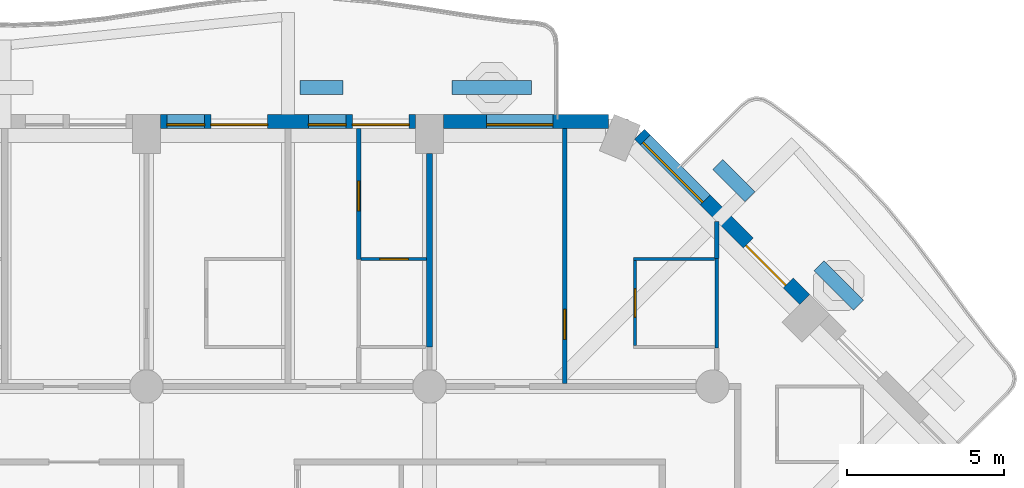
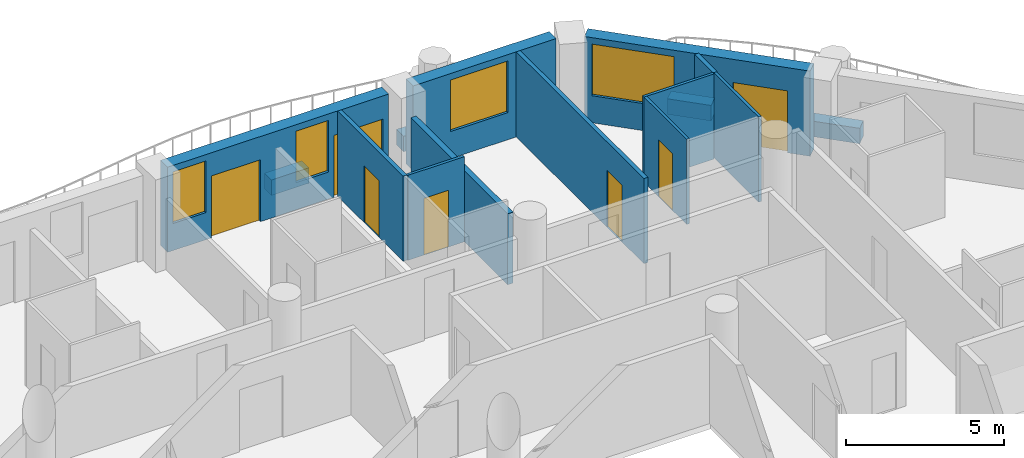
# One storey, part 10 of 20: 15 walls, 7 doors, 4 windows, 11 openings.
"""IFC4 building model written with IfcOpenShell, lengths in metres."""

from ifc_helpers import new_model, si_unit, direction, frame, frame_2d, origin, place, context, subcontext, project, spatial, rectangle, extrude, material, layer, layer_set, type_object, element, fill, save


model = new_model("IFC4")

# Units and contexts
model_context = context("Model", 3, precision=1e-05, world=origin(), true_north=direction((0.0, 1.0)))
body_context = subcontext(model_context, "Body", "Model", "MODEL_VIEW")
ifc_project = project(units=[si_unit("LENGTHUNIT", "METRE"), si_unit("AREAUNIT", "SQUARE_METRE"), si_unit("VOLUMEUNIT", "CUBIC_METRE"), si_unit("PLANEANGLEUNIT", "RADIAN"), si_unit("MASSUNIT", "GRAM", prefix="KILO")], contexts=[model_context])

# Site, building, storey
site_placement = place(None, origin())
site = spatial("IfcSite", under=ifc_project, at=site_placement, CompositionType="ELEMENT")
building_placement = place(site_placement, origin())
building = spatial("IfcBuilding", under=site, at=building_placement, Name="Cypress Arch Tower", CompositionType="ELEMENT")
storey_placement = place(building_placement, frame((0.0, 0.0, 131.10009765625)))
storey = spatial("IfcBuildingStorey", under=building, at=storey_placement, Name="L28", CompositionType="ELEMENT", Elevation=131.10009765625)

# Walls
ifc_material_1 = material(Name="Concrete C40/50, waterproofed", Category="concrete")
ifc_layer_1 = layer(ifc_material_1, 0.449951171875)
ifc_layer_set_1 = layer_set([ifc_layer_1], Name="Balcony planter wall PW450")
wall_type_1 = type_object("IfcWallType", Name="Balcony planter wall PW450", PredefinedType="SOLIDWALL", material=ifc_layer_set_1)
wall_1_placement = place(storey_placement, frame((19.9365234375, 20.07763671875, 0.0), z_axis=(0.0, 0.0, 1.0), x_axis=(-0.707106781187, 0.707106781187, 0.0)))
element("IfcWall", 1, at=wall_1_placement, inside=storey, type_object=wall_type_1, Name="Balcony planter wall L28-A07.2", PredefinedType="SOLIDWALL", context=body_context, shape_type="SweptSolid", body=[
    extrude(rectangle(XDim=1.780517578125, YDim=0.449951171875, at=frame_2d((0.89013671875, 0.0))), origin(), (0.0, 0.0, 1.0), 0.599853515625),
])
wall_2_placement = place(storey_placement, frame((16.485595703125, 23.528564453125, 0.0), z_axis=(0.0, 0.0, 1.0), x_axis=(-0.707022305137, 0.707191247145, 0.0)))
element("IfcWall", 2, at=wall_2_placement, inside=storey, type_object=wall_type_1, Name="Balcony planter wall L28-A07.3", PredefinedType="SOLIDWALL", context=body_context, shape_type="SweptSolid", body=[
    extrude(rectangle(XDim=1.445068359375, YDim=0.449951171875, at=frame_2d((0.72265625, 0.0))), origin(), (0.0, 0.0, 1.0), 0.599853515625),
])
wall_3_placement = place(storey_placement, frame((9.550048828125, 27.0, 0.0), z_axis=(0.0, 0.0, 1.0), x_axis=(-1.0, 0.0, 0.0)))
element("IfcWall", 3, at=wall_3_placement, inside=storey, type_object=wall_type_1, Name="Balcony planter wall L28-A08.1", PredefinedType="SOLIDWALL", context=body_context, shape_type="SweptSolid", body=[
    extrude(rectangle(XDim=2.53759765625, YDim=0.449951171875, at=frame_2d((1.268798828125, 0.0))), origin(), (0.0, 0.0, 1.0), 0.599853515625),
])
wall_4_placement = place(storey_placement, frame((3.550048828125, 27.0, 0.0), z_axis=(0.0, 0.0, 1.0), x_axis=(-1.0, 0.0, 0.0)))
element("IfcWall", 4, at=wall_4_placement, inside=storey, type_object=wall_type_1, Name="Balcony planter wall L28-A08.2", PredefinedType="SOLIDWALL", context=body_context, shape_type="SweptSolid", body=[
    extrude(rectangle(XDim=1.375, YDim=0.449951171875, at=frame_2d((0.6875, 0.0))), origin(), (0.0, 0.0, 1.0), 0.599853515625),
])

# Wall, openings, door, window
ifc_material_2 = material(Name="Brick (red buff blend)", Category="masonry")
ifc_layer_2 = layer(ifc_material_2, 0.449951171875)
ifc_layer_set_2 = layer_set([ifc_layer_2], Name="Brick pier and spandrel wall BW450")
wall_type_2 = type_object("IfcWallType", Name="Brick pier and spandrel wall BW450", PredefinedType="SOLIDWALL", material=ifc_layer_set_2)
wall_5_placement = place(storey_placement, frame((18.228759765625, 20.26513671875, 0.0), z_axis=(0.0, 0.0, 1.0), x_axis=(-0.707106781187, 0.707106781187, 0.0)))
wall_5 = element("IfcWall", 5, at=wall_5_placement, inside=storey, type_object=wall_type_2, Name="Brick wall L28 A07.1", PredefinedType="SOLIDWALL", context=body_context, shape_type="SweptSolid", body=[
    extrude(rectangle(XDim=7.423828125, YDim=0.449951171875, at=frame_2d((3.7119140625, 0.0))), origin(), (0.0, 0.0, 1.0), 3.2998046875),
])
opening_1_placement = place(wall_5_placement, frame((0.740234375, 0.0, 0.0)))
opening_1 = element("IfcOpeningElement", 6, at=opening_1_placement, cuts=wall_5, Name="Opening D-L28-A07.1.1", PredefinedType="OPENING", context=body_context, shape_type="SweptSolid", body=[
    extrude(rectangle(XDim=1.800048828125, YDim=2.39990234375, at=frame_2d((0.89990234375, 1.199951171875))), frame((0.0, 0.23486328125, 0.0), z_axis=(0.0, -1.0, 0.0), x_axis=(1.0, 0.0, 0.0)), (0.0, 0.0, 1.0), 0.469970703125),
])
opening_2_placement = place(wall_5_placement, frame((4.470703125, 0.0, 1.050048828125)))
opening_2 = element("IfcOpeningElement", 7, at=opening_2_placement, cuts=wall_5, Name="Opening W270HD", PredefinedType="OPENING", context=body_context, shape_type="SweptSolid", body=[
    extrude(rectangle(XDim=2.699951171875, YDim=2.0, at=frame_2d((1.35009765625, 1.0))), frame((0.0, 0.23486328125, 0.0), z_axis=(0.0, -1.0, 0.0), x_axis=(1.0, 0.0, 0.0)), (0.0, 0.0, 1.0), 0.469970703125),
])
ifc_material_3 = material(Name="Anodised aluminium, bronze finish, laminated low-emissivity double glazing, large-missile impact rated", Category="aluminium")
door_type_1 = type_object("IfcDoorType", Name="Balcony sliding door 1800x2400", OperationType="SLIDING_TO_LEFT", PredefinedType="DOOR", material=ifc_material_3)
door_1_placement = place(opening_1_placement, origin())
door_1 = element("IfcDoor", 8, at=door_1_placement, inside=storey, type_object=door_type_1, Name="Balcony door L28 A07.1.1", OperationType="SLIDING_TO_LEFT", OverallHeight=2.39990234375, OverallWidth=1.800048828125, PredefinedType="DOOR", context=body_context, shape_type="SweptSolid", body=[
    extrude(rectangle(XDim=1.800048828125, YDim=2.39990234375, at=frame_2d((0.89990234375, 1.199951171875))), frame((0.0, 0.1298828125, 0.0), z_axis=(0.0, -1.0, 0.0), x_axis=(1.0, 0.0, 0.0)), (0.0, 0.0, 1.0), 0.050048828125),
])
fill(opening_1, door_1)
ifc_material_4 = material(Name="Anodised aluminium, bronze finish, laminated low-emissivity double glazing, large-missile impact rated", Category="aluminium")
window_type_1 = type_object("IfcWindowType", Name="Window Hotel 2700x2000 debris-rated", PartitioningType="SINGLE_PANEL", PredefinedType="WINDOW", material=ifc_material_4)
window_1_placement = place(opening_2_placement, origin())
window_1 = element("IfcWindow", 9, at=window_1_placement, inside=storey, type_object=window_type_1, Name="Window L28 A07.1.2", OverallHeight=2.0, OverallWidth=2.699951171875, PartitioningType="SINGLE_PANEL", PredefinedType="WINDOW", context=body_context, shape_type="SweptSolid", body=[
    extrude(rectangle(XDim=2.699951171875, YDim=2.0, at=frame_2d((1.35009765625, 1.0))), frame((0.0, 0.135009765625, 0.0), z_axis=(0.0, -1.0, 0.0), x_axis=(1.0, 0.0, 0.0)), (0.0, 0.0, 1.0), 0.06005859375),
])
fill(opening_2, window_1)

# Wall, opening, window
wall_6_placement = place(storey_placement, frame((11.98876953125, 25.925048828125, 0.0), z_axis=(0.0, 0.0, 1.0), x_axis=(-1.0, 0.0, 0.0)))
wall_6 = element("IfcWall", 10, at=wall_6_placement, inside=storey, type_object=wall_type_2, Name="Brick wall L28 A08.0", PredefinedType="SOLIDWALL", context=body_context, shape_type="SweptSolid", body=[
    extrude(rectangle(XDim=5.23876953125, YDim=0.449951171875, at=frame_2d((2.619384765625, 0.0))), origin(), (0.0, 0.0, 1.0), 3.2998046875),
])
opening_3_placement = place(wall_6_placement, frame((1.769775390625, 0.0, 1.050048828125)))
opening_3 = element("IfcOpeningElement", 11, at=opening_3_placement, cuts=wall_6, Name="Opening W210HD", PredefinedType="OPENING", context=body_context, shape_type="SweptSolid", body=[
    extrude(rectangle(XDim=2.10009765625, YDim=2.0, at=frame_2d((1.050048828125, 1.0))), frame((0.0, 0.23486328125, 0.0), z_axis=(0.0, -1.0, 0.0), x_axis=(1.0, 0.0, 0.0)), (0.0, 0.0, 1.0), 0.469970703125),
])
ifc_material_5 = material(Name="Anodised aluminium, bronze finish, laminated low-emissivity double glazing, large-missile impact rated", Category="aluminium")
window_type_2 = type_object("IfcWindowType", Name="Window Hotel 2100x2000 debris-rated", PartitioningType="SINGLE_PANEL", PredefinedType="WINDOW", material=ifc_material_5)
window_2_placement = place(opening_3_placement, origin())
window_2 = element("IfcWindow", 12, at=window_2_placement, inside=storey, type_object=window_type_2, Name="Window L28 A08.0.1", OverallHeight=2.0, OverallWidth=2.10009765625, PartitioningType="SINGLE_PANEL", PredefinedType="WINDOW", context=body_context, shape_type="SweptSolid", body=[
    extrude(rectangle(XDim=2.10009765625, YDim=2.0, at=frame_2d((1.050048828125, 1.0))), frame((0.0, 0.135009765625, 0.0), z_axis=(0.0, -1.0, 0.0), x_axis=(1.0, 0.0, 0.0)), (0.0, 0.0, 1.0), 0.06005859375),
])
fill(opening_3, window_2)

# Wall, openings, doors, windows
wall_7_placement = place(storey_placement, frame((5.85009765625, 25.925048828125, 0.0), z_axis=(0.0, 0.0, 1.0), x_axis=(-1.0, 0.0, 0.0)))
wall_7 = element("IfcWall", 13, at=wall_7_placement, inside=storey, type_object=wall_type_2, Name="Brick wall L28 A08.1", PredefinedType="SOLIDWALL", context=body_context, shape_type="SweptSolid", body=[
    extrude(rectangle(XDim=8.10009765625, YDim=0.449951171875, at=frame_2d((4.050048828125, 0.0))), origin(), (0.0, 0.0, 1.0), 3.2998046875),
])
opening_4_placement = place(wall_7_placement, frame((0.199951171875, 0.0, 0.0)))
opening_4 = element("IfcOpeningElement", 14, at=opening_4_placement, cuts=wall_7, Name="Opening D-L28-A08.1.1", PredefinedType="OPENING", context=body_context, shape_type="SweptSolid", body=[
    extrude(rectangle(XDim=1.800048828125, YDim=2.39990234375, at=frame_2d((0.89990234375, 1.199951171875))), frame((0.0, 0.23486328125, 0.0), z_axis=(0.0, -1.0, 0.0), x_axis=(1.0, 0.0, 0.0)), (0.0, 0.0, 1.0), 0.469970703125),
])
opening_5_placement = place(wall_7_placement, frame((2.199951171875, 0.0, 1.050048828125)))
opening_5 = element("IfcOpeningElement", 15, at=opening_5_placement, cuts=wall_7, Name="Opening W120HD", PredefinedType="OPENING", context=body_context, shape_type="SweptSolid", body=[
    extrude(rectangle(XDim=1.199951171875, YDim=2.0, at=frame_2d((0.60009765625, 1.0))), frame((0.0, 0.23486328125, 0.0), z_axis=(0.0, -1.0, 0.0), x_axis=(1.0, 0.0, 0.0)), (0.0, 0.0, 1.0), 0.469970703125),
])
opening_6_placement = place(wall_7_placement, frame((4.699951171875, 0.0, 0.0)))
opening_6 = element("IfcOpeningElement", 16, at=opening_6_placement, cuts=wall_7, Name="Opening D-L28-A08.1.2", PredefinedType="OPENING", context=body_context, shape_type="SweptSolid", body=[
    extrude(rectangle(XDim=1.800048828125, YDim=2.39990234375, at=frame_2d((0.89990234375, 1.199951171875))), frame((0.0, 0.23486328125, 0.0), z_axis=(0.0, -1.0, 0.0), x_axis=(1.0, 0.0, 0.0)), (0.0, 0.0, 1.0), 0.469970703125),
])
opening_7_placement = place(wall_7_placement, frame((6.699951171875, 0.0, 1.050048828125)))
opening_7 = element("IfcOpeningElement", 17, at=opening_7_placement, cuts=wall_7, Name="Opening W120HD", PredefinedType="OPENING", context=body_context, shape_type="SweptSolid", body=[
    extrude(rectangle(XDim=1.199951171875, YDim=2.0, at=frame_2d((0.60009765625, 1.0))), frame((0.0, 0.23486328125, 0.0), z_axis=(0.0, -1.0, 0.0), x_axis=(1.0, 0.0, 0.0)), (0.0, 0.0, 1.0), 0.469970703125),
])
door_2_placement = place(opening_4_placement, origin())
door_2 = element("IfcDoor", 18, at=door_2_placement, inside=storey, type_object=door_type_1, Name="Balcony door L28 A08.1.1", OperationType="SLIDING_TO_LEFT", OverallHeight=2.39990234375, OverallWidth=1.800048828125, PredefinedType="DOOR", context=body_context, shape_type="SweptSolid", body=[
    extrude(rectangle(XDim=1.800048828125, YDim=2.39990234375, at=frame_2d((0.89990234375, 1.199951171875))), frame((0.0, 0.1298828125, 0.0), z_axis=(0.0, -1.0, 0.0), x_axis=(1.0, 0.0, 0.0)), (0.0, 0.0, 1.0), 0.050048828125),
])
fill(opening_4, door_2)
door_3_placement = place(opening_6_placement, origin())
door_3 = element("IfcDoor", 19, at=door_3_placement, inside=storey, type_object=door_type_1, Name="Balcony door L28 A08.1.2", OperationType="SLIDING_TO_LEFT", OverallHeight=2.39990234375, OverallWidth=1.800048828125, PredefinedType="DOOR", context=body_context, shape_type="SweptSolid", body=[
    extrude(rectangle(XDim=1.800048828125, YDim=2.39990234375, at=frame_2d((0.89990234375, 1.199951171875))), frame((0.0, 0.1298828125, 0.0), z_axis=(0.0, -1.0, 0.0), x_axis=(1.0, 0.0, 0.0)), (0.0, 0.0, 1.0), 0.050048828125),
])
fill(opening_6, door_3)
ifc_material_6 = material(Name="Anodised aluminium, bronze finish, laminated low-emissivity double glazing, large-missile impact rated", Category="aluminium")
window_type_3 = type_object("IfcWindowType", Name="Window Hotel 1200x2000 debris-rated", PartitioningType="SINGLE_PANEL", PredefinedType="WINDOW", material=ifc_material_6)
window_3_placement = place(opening_5_placement, origin())
window_3 = element("IfcWindow", 20, at=window_3_placement, inside=storey, type_object=window_type_3, Name="Window L28 A08.1.1", OverallHeight=2.0, OverallWidth=1.199951171875, PartitioningType="SINGLE_PANEL", PredefinedType="WINDOW", context=body_context, shape_type="SweptSolid", body=[
    extrude(rectangle(XDim=1.199951171875, YDim=2.0, at=frame_2d((0.60009765625, 1.0))), frame((0.0, 0.135009765625, 0.0), z_axis=(0.0, -1.0, 0.0), x_axis=(1.0, 0.0, 0.0)), (0.0, 0.0, 1.0), 0.06005859375),
])
fill(opening_5, window_3)
window_4_placement = place(opening_7_placement, origin())
window_4 = element("IfcWindow", 21, at=window_4_placement, inside=storey, type_object=window_type_3, Name="Window L28 A08.1.2", OverallHeight=2.0, OverallWidth=1.199951171875, PartitioningType="SINGLE_PANEL", PredefinedType="WINDOW", context=body_context, shape_type="SweptSolid", body=[
    extrude(rectangle(XDim=1.199951171875, YDim=2.0, at=frame_2d((0.60009765625, 1.0))), frame((0.0, 0.135009765625, 0.0), z_axis=(0.0, -1.0, 0.0), x_axis=(1.0, 0.0, 0.0)), (0.0, 0.0, 1.0), 0.06005859375),
])
fill(opening_7, window_4)

# Wall, opening, door
ifc_material_7 = material(Name="Blockwork, plastered both sides", Category="masonry")
ifc_layer_3 = layer(ifc_material_7, 0.14990234375)
ifc_layer_set_3 = layer_set([ifc_layer_3], Name="Partition PW150")
wall_type_3 = type_object("IfcWallType", Name="Partition PW150", PredefinedType="PARTITIONING", material=ifc_layer_set_3)
wall_8_placement = place(storey_placement, frame((4.050048828125, 21.530029296875, 0.0), z_axis=(0.0, 0.0, 1.0), x_axis=(0.0, 1.0, 0.0)))
wall_8 = element("IfcWall", 22, at=wall_8_placement, inside=storey, type_object=wall_type_3, Name="Partition", PredefinedType="PARTITIONING", context=body_context, shape_type="SweptSolid", body=[
    extrude(rectangle(XDim=4.169921875, YDim=0.14990234375, at=frame_2d((2.0849609375, 0.0))), origin(), (0.0, 0.0, 1.0), 3.2998046875),
])
opening_8_placement = place(wall_8_placement, frame((1.550048828125, 0.0, 0.0)))
opening_8 = element("IfcOpeningElement", 23, at=opening_8_placement, cuts=wall_8, Name="Opening D12", PredefinedType="OPENING", context=body_context, shape_type="SweptSolid", body=[
    extrude(rectangle(XDim=0.949951171875, YDim=2.199951171875, at=frame_2d((0.47509765625, 1.10009765625))), frame((0.0, 0.0849609375, 0.0), z_axis=(0.0, -1.0, 0.0), x_axis=(1.0, 0.0, 0.0)), (0.0, 0.0, 1.0), 0.169921875),
])
ifc_material_8 = material(Name="Timber flush door", Category="wood")
door_type_2 = type_object("IfcDoorType", Name="Room door D12 950x2200", OperationType="SINGLE_SWING_LEFT", PredefinedType="DOOR", material=ifc_material_8)
door_4_placement = place(opening_8_placement, origin())
door_4 = element("IfcDoor", 24, at=door_4_placement, inside=storey, type_object=door_type_2, Name="Room door", OperationType="SINGLE_SWING_LEFT", OverallHeight=2.199951171875, OverallWidth=0.949951171875, PredefinedType="DOOR", context=body_context, shape_type="SweptSolid", body=[
    extrude(rectangle(XDim=0.949951171875, YDim=2.199951171875, at=frame_2d((0.47509765625, 1.10009765625))), frame((0.0, 0.02490234375, 0.0), z_axis=(0.0, -1.0, 0.0), x_axis=(1.0, 0.0, 0.0)), (0.0, 0.0, 1.0), 0.050048828125),
])
fill(opening_8, door_4)

wall_9_placement = place(storey_placement, frame((10.60009765625, 17.60009765625, 0.0), z_axis=(0.0, 0.0, 1.0), x_axis=(0.0, 1.0, 0.0)))
wall_9 = element("IfcWall", 25, at=wall_9_placement, inside=storey, type_object=wall_type_3, Name="Partition", PredefinedType="PARTITIONING", context=body_context, shape_type="SweptSolid", body=[
    extrude(rectangle(XDim=8.099853515625, YDim=0.14990234375, at=frame_2d((4.0498046875, 0.0))), origin(), (0.0, 0.0, 1.0), 3.2998046875),
])
opening_9_placement = place(wall_9_placement, frame((1.39990234375, 0.0, 0.0)))
opening_9 = element("IfcOpeningElement", 26, at=opening_9_placement, cuts=wall_9, Name="Opening D12", PredefinedType="OPENING", context=body_context, shape_type="SweptSolid", body=[
    extrude(rectangle(XDim=0.949951171875, YDim=2.199951171875, at=frame_2d((0.47509765625, 1.10009765625))), frame((0.0, 0.0849609375, 0.0), z_axis=(0.0, -1.0, 0.0), x_axis=(1.0, 0.0, 0.0)), (0.0, 0.0, 1.0), 0.169921875),
])
door_5_placement = place(opening_9_placement, origin())
door_5 = element("IfcDoor", 27, at=door_5_placement, inside=storey, type_object=door_type_2, Name="Room door", OperationType="SINGLE_SWING_LEFT", OverallHeight=2.199951171875, OverallWidth=0.949951171875, PredefinedType="DOOR", context=body_context, shape_type="SweptSolid", body=[
    extrude(rectangle(XDim=0.949951171875, YDim=2.199951171875, at=frame_2d((0.47509765625, 1.10009765625))), frame((0.0, 0.02490234375, 0.0), z_axis=(0.0, -1.0, 0.0), x_axis=(1.0, 0.0, 0.0)), (0.0, 0.0, 1.0), 0.050048828125),
])
fill(opening_9, door_5)

# Walls
wall_10_placement = place(storey_placement, frame((15.431884765625, 21.570068359375, 0.0), z_axis=(0.0, 0.0, 1.0), x_axis=(0.0, 1.0, 0.0)))
element("IfcWall", 28, at=wall_10_placement, inside=storey, type_object=wall_type_3, Name="Partition", PredefinedType="PARTITIONING", context=body_context, shape_type="SweptSolid", body=[
    extrude(rectangle(XDim=1.173583984375, YDim=0.14990234375, at=frame_2d((0.5869140625, 0.0))), origin(), (0.0, 0.0, 1.0), 3.2998046875),
])
ifc_material_9 = material(Name="Dense blockwork, plastered both sides, acoustic and rated", Category="masonry")
ifc_layer_4 = layer(ifc_material_9, 0.199951171875)
ifc_layer_set_4 = layer_set([ifc_layer_4], Name="Party wall PW200")
wall_type_4 = type_object("IfcWallType", Name="Party wall PW200", PredefinedType="PARTITIONING", material=ifc_layer_set_4)
wall_11_placement = place(storey_placement, frame((6.300048828125, 18.75, 0.0), z_axis=(0.0, 0.0, 1.0), x_axis=(0.0, 1.0, 0.0)))
element("IfcWall", 29, at=wall_11_placement, inside=storey, type_object=wall_type_4, Name="Party wall", PredefinedType="PARTITIONING", context=body_context, shape_type="SweptSolid", body=[
    extrude(rectangle(XDim=6.14990234375, YDim=0.199951171875, at=frame_2d((3.074951171875, 0.0))), origin(), (0.0, 0.0, 1.0), 2.75),
])

# Wall, opening, door
ifc_material_10 = material(Name="Moisture resistant board on steel studs, tiled", Category="steel")
ifc_layer_5 = layer(ifc_material_10, 0.10009765625)
ifc_layer_set_5 = layer_set([ifc_layer_5], Name="Wet wall PW100")
wall_type_5 = type_object("IfcWallType", Name="Wet wall PW100", PredefinedType="PARTITIONING", material=ifc_layer_set_5)
wall_12_placement = place(storey_placement, frame((4.125, 21.550048828125, 0.0), z_axis=(0.0, 0.0, 1.0), x_axis=(1.0, 0.0, 0.0)))
wall_12 = element("IfcWall", 30, at=wall_12_placement, inside=storey, type_object=wall_type_5, Name="Wet wall", PredefinedType="PARTITIONING", context=body_context, shape_type="SweptSolid", body=[
    extrude(rectangle(XDim=2.074951171875, YDim=0.10009765625, at=frame_2d((1.03759765625, 0.0))), origin(), (0.0, 0.0, 1.0), 3.2998046875),
])
opening_10_placement = place(wall_12_placement, frame((0.60009765625, 0.0, 0.0)))
opening_10 = element("IfcOpeningElement", 31, at=opening_10_placement, cuts=wall_12, Name="Opening D03", PredefinedType="OPENING", context=body_context, shape_type="SweptSolid", body=[
    extrude(rectangle(XDim=0.89990234375, YDim=2.199951171875, at=frame_2d((0.449951171875, 1.10009765625))), frame((0.0, 0.06005859375, 0.0), z_axis=(0.0, -1.0, 0.0), x_axis=(1.0, 0.0, 0.0)), (0.0, 0.0, 1.0), 0.1201171875),
])
ifc_material_11 = material(Name="Timber flush door, moisture resistant", Category="wood")
door_type_3 = type_object("IfcDoorType", Name="Bathroom door D03 900x2200", OperationType="SINGLE_SWING_LEFT", PredefinedType="DOOR", material=ifc_material_11)
door_6_placement = place(opening_10_placement, origin())
door_6 = element("IfcDoor", 32, at=door_6_placement, inside=storey, type_object=door_type_3, Name="Bathroom door", OperationType="SINGLE_SWING_LEFT", OverallHeight=2.199951171875, OverallWidth=0.89990234375, PredefinedType="DOOR", context=body_context, shape_type="SweptSolid", body=[
    extrude(rectangle(XDim=0.89990234375, YDim=2.199951171875, at=frame_2d((0.449951171875, 1.10009765625))), frame((0.0, 0.02490234375, 0.0), z_axis=(0.0, -1.0, 0.0), x_axis=(1.0, 0.0, 0.0)), (0.0, 0.0, 1.0), 0.050048828125),
])
fill(opening_10, door_6)

wall_13_placement = place(storey_placement, frame((12.8359375, 18.800048828125, 0.0), z_axis=(0.0, 0.0, 1.0), x_axis=(0.0, 1.0, 0.0)))
wall_13 = element("IfcWall", 33, at=wall_13_placement, inside=storey, type_object=wall_type_5, Name="Wet wall", PredefinedType="PARTITIONING", context=body_context, shape_type="SweptSolid", body=[
    extrude(rectangle(XDim=2.699951171875, YDim=0.10009765625, at=frame_2d((1.35009765625, 0.0))), origin(), (0.0, 0.0, 1.0), 3.2998046875),
])
opening_11_placement = place(wall_13_placement, frame((0.89990234375, 0.0, 0.0)))
opening_11 = element("IfcOpeningElement", 34, at=opening_11_placement, cuts=wall_13, Name="Opening D03", PredefinedType="OPENING", context=body_context, shape_type="SweptSolid", body=[
    extrude(rectangle(XDim=0.89990234375, YDim=2.199951171875, at=frame_2d((0.449951171875, 1.10009765625))), frame((0.0, 0.06005859375, 0.0), z_axis=(0.0, -1.0, 0.0), x_axis=(1.0, 0.0, 0.0)), (0.0, 0.0, 1.0), 0.1201171875),
])
door_7_placement = place(opening_11_placement, origin())
door_7 = element("IfcDoor", 35, at=door_7_placement, inside=storey, type_object=door_type_3, Name="Bathroom door", OperationType="SINGLE_SWING_LEFT", OverallHeight=2.199951171875, OverallWidth=0.89990234375, PredefinedType="DOOR", context=body_context, shape_type="SweptSolid", body=[
    extrude(rectangle(XDim=0.89990234375, YDim=2.199951171875, at=frame_2d((0.449951171875, 1.10009765625))), frame((0.0, 0.02490234375, 0.0), z_axis=(0.0, -1.0, 0.0), x_axis=(1.0, 0.0, 0.0)), (0.0, 0.0, 1.0), 0.050048828125),
])
fill(opening_11, door_7)

# Walls
wall_14_placement = place(storey_placement, frame((12.785888671875, 21.550048828125, 0.0), z_axis=(0.0, 0.0, 1.0), x_axis=(1.0, 0.0, 0.0)))
element("IfcWall", 36, at=wall_14_placement, inside=storey, type_object=wall_type_5, Name="Wet wall", PredefinedType="PARTITIONING", context=body_context, shape_type="SweptSolid", body=[
    extrude(rectangle(XDim=2.571044921875, YDim=0.10009765625, at=frame_2d((1.28564453125, 0.0))), origin(), (0.0, 0.0, 1.0), 3.2998046875),
])
wall_15_placement = place(storey_placement, frame((15.431884765625, 18.72998046875, 0.0), z_axis=(0.0, 0.0, 1.0), x_axis=(0.0, 1.0, 0.0)))
element("IfcWall", 37, at=wall_15_placement, inside=storey, type_object=wall_type_5, Name="Wet wall", PredefinedType="PARTITIONING", context=body_context, shape_type="SweptSolid", body=[
    extrude(rectangle(XDim=2.840087890625, YDim=0.10009765625, at=frame_2d((1.419921875, 0.0))), origin(), (0.0, 0.0, 1.0), 3.2998046875),
])

save(model, "model.ifc")
